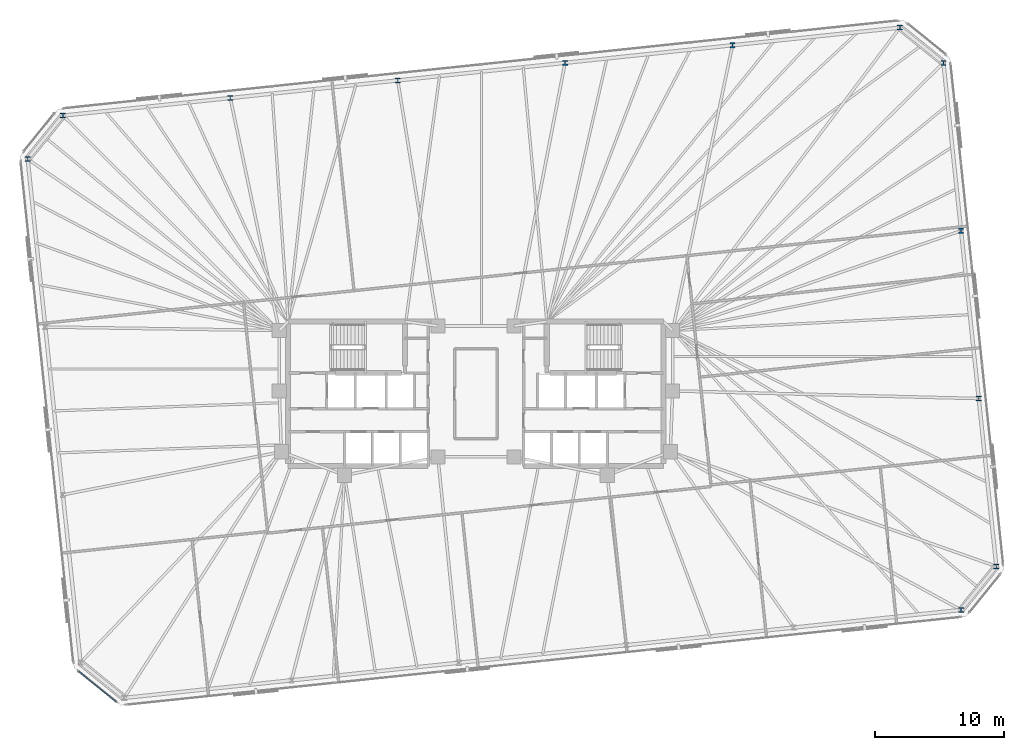
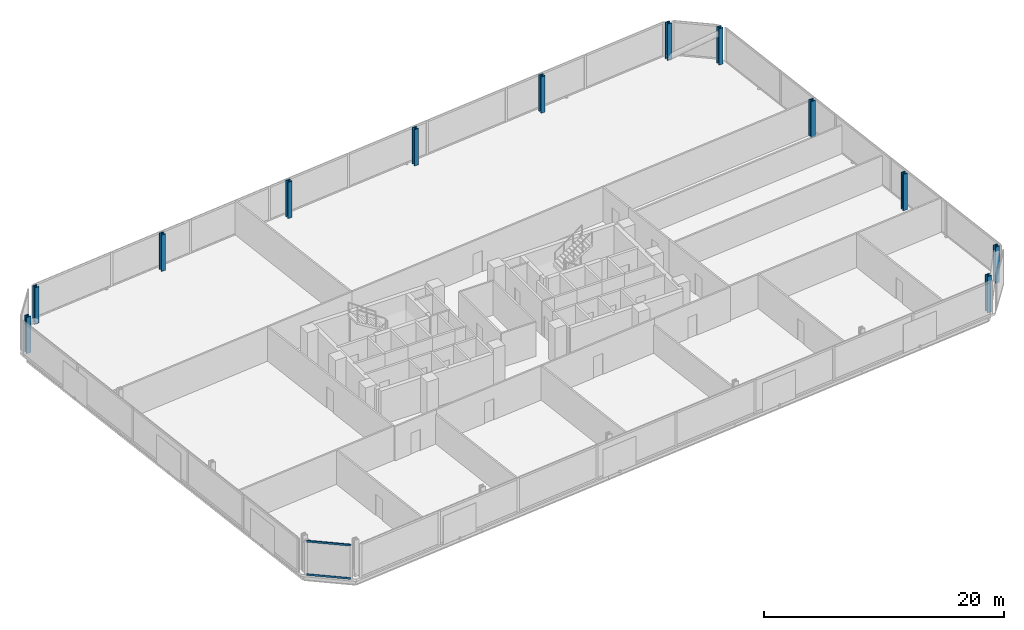
# One storey, part 5 of 18: 12 columns, 2 members, 1 element without a shape of its own.
"""IFC4 building model written with IfcOpenShell, lengths in metres."""

from ifc_helpers import new_model, si_unit, direction, frame, origin, origin_2d, place, context, subcontext, project, spatial, rectangle, i_section, extrude, material, material_profile, profile_set, type_object, element, aggregate, save


model = new_model("IFC4")

# Units and contexts
model_context = context("Model", 3, precision=1e-05, world=origin(), true_north=direction((0.0, 1.0)))
body_context = subcontext(model_context, "Body", "Model", "MODEL_VIEW")
ifc_project = project(units=[si_unit("LENGTHUNIT", "METRE"), si_unit("AREAUNIT", "SQUARE_METRE"), si_unit("VOLUMEUNIT", "CUBIC_METRE"), si_unit("PLANEANGLEUNIT", "RADIAN"), si_unit("MASSUNIT", "GRAM", prefix="KILO")], contexts=[model_context])

# Site, building, storey
site_placement = place(None, origin())
site = spatial("IfcSite", under=ifc_project, at=site_placement, CompositionType="ELEMENT")
building_placement = place(site_placement, origin())
building = spatial("IfcBuilding", under=site, at=building_placement, Name="Menara Jurai Vektor", CompositionType="ELEMENT")
storey_placement = place(building_placement, frame((0.0, 0.0, 124.39990234375)))
storey = spatial("IfcBuildingStorey", under=building, at=storey_placement, Name="L31", CompositionType="ELEMENT", Elevation=124.39990234375)

# Columns
ifc_material_1 = material(Name="Steel S460", Category="steel")
ifc_material_profile_1 = material_profile(ifc_material_1, i_section(OverallWidth=0.4130859375, OverallDepth=0.39794921875, WebThickness=0.055908203125, FlangeThickness=0.089111328125, FilletRadius=0.014892578125, at=origin_2d()), Name="HD 400x744")
ifc_profile_set_1 = profile_set([ifc_material_profile_1], Name="Steel S460")
column_type = type_object("IfcColumnType", Name="STR-EXO-BLK2", PredefinedType="COLUMN", material=ifc_profile_set_1)
for number, where, z_axis, x_axis, name in (
    (1, (37.621826171875, -16.76513671875, 0.0), (0.0, 0.0, 1.0), (1.0, 0.0, 0.0), "Exoskeleton Column BLK2-S6 L31"),
    (2, (40.356201171875, -13.388671875, 0.0), (0.0, 0.0, 1.0), (1.0, 0.0, 0.0), "Exoskeleton Column BLK2-E1 L31"),
    (3, (38.98828125, -0.375, 0.0), (0.0, 0.0, 1.0), (1.0, 0.0, 0.0), "Exoskeleton Column BLK2-E2 L31"),
    (4, (37.62060546875, 12.638427734375, 0.0), (0.0, 0.0, 1.0), (1.0, 0.0, 0.0), "Exoskeleton Column BLK2-E3 L31"),
    (5, (36.252685546875, 25.65185546875, 0.0), (0.0, 0.0, 1.0), (1.0, 0.0, 0.0), "Exoskeleton Column BLK2-E4 L31"),
    (6, (32.876220703125, 28.38623046875, 0.0), (0.0, 0.0, 1.0), (1.0, 0.0, 0.0), "Exoskeleton Column BLK2-N1 L31"),
    (7, (19.896728515625, 27.02197265625, 0.0), (0.0, 0.0, 1.0), (1.0, 0.0, 0.0), "Exoskeleton Column BLK2-N2 L31"),
    (8, (6.9169921875, 25.65771484375, 0.0), (0.0, 0.0, 1.0), (1.0, 0.0, 0.0), "Exoskeleton Column BLK2-N3 L31"),
    (9, (-6.0625, 24.29345703125, 0.0), (0.0, 0.0, 1.0), (1.0, 0.0, 0.0), "Exoskeleton Column BLK2-N4 L31"),
    (10, (-19.042236328125, 22.929443359375, 0.0), (0.0, 0.0, 1.0), (1.0, 0.0, 0.0), "Exoskeleton Column BLK2-N5 L31"),
    (11, (-32.02197265625, 21.565185546875, 0.0), (0.0, 0.0, 1.0), (1.0, 0.0, 0.0), "Exoskeleton Column BLK2-N6 L31"),
    (12, (-34.756103515625, 18.188720703125, 0.0), (0.0, 0.0, 1.0), (1.0, 0.0, 0.0), "Exoskeleton Column BLK2-W1 L31"),
):
    element("IfcColumn", number, at=place(storey_placement, frame(where, z_axis=z_axis, x_axis=x_axis)), inside=storey, type_object=column_type, Name=name, PredefinedType="COLUMN", context=body_context, shape_type="SweptSolid", body=[
        extrude(i_section(OverallWidth=0.4130859375, OverallDepth=0.39794921875, WebThickness=0.055908203125, FlangeThickness=0.089111328125, FilletRadius=0.014892578125, at=origin_2d()), origin(), (0.0, 0.0, 1.0), 3.7001953125),
    ])

# Curtain wall, members
ifc_material_2 = material(Name="Anodised Pale Aluminium & Low-E Double Glazing", Category="aluminium")
curtain_wall_type = type_object("IfcCurtainWallType", Name="CW-BLK2", PredefinedType="NOTDEFINED", material=ifc_material_2)
curtain_wall_placement = place(storey_placement, origin())
curtain_wall = element("IfcCurtainWall", 13, at=curtain_wall_placement, inside=storey, type_object=curtain_wall_type, Name="Unitised Curtain Wall L31 F08", PredefinedType="NOTDEFINED")
ifc_material_3 = material(Name="Anodised Pale Aluminium Transom", Category="aluminium")
ifc_material_profile_2 = material_profile(ifc_material_3, rectangle(XDim=0.090087890625, YDim=0.18505859375, at=origin_2d()), Name="ALU TRN 90x185")
ifc_profile_set_2 = profile_set([ifc_material_profile_2], Name="Anodised Pale Aluminium Transom")
member_type = type_object("IfcMemberType", Name="CW-BLK2-TRN", PredefinedType="USERDEFINED", material=ifc_profile_set_2)
member_1_placement = place(storey_placement, frame((-30.80078125, -21.525634765625, 0.045166015625), z_axis=(0.777128916205, -0.6293414396, 0.0), x_axis=(0.6293414396, 0.777128916205, 0.0)))
member_1 = element("IfcMember", 14, at=member_1_placement, type_object=member_type, Name="CW-02 transom 1.1", ObjectType="TRANSOM", PredefinedType="USERDEFINED", context=body_context, shape_type="SweptSolid", body=[
    extrude(rectangle(XDim=0.090087890625, YDim=0.18505859375, at=origin_2d()), origin(), (0.0, 0.0, 1.0), 3.726806640625),
])
member_2_placement = place(storey_placement, frame((-30.80078125, -21.525634765625, 3.43017578125), z_axis=(0.777128916205, -0.6293414396, 0.0), x_axis=(0.6293414396, 0.777128916205, 0.0)))
member_2 = element("IfcMember", 15, at=member_2_placement, type_object=member_type, Name="CW-02 transom 1.2", ObjectType="TRANSOM", PredefinedType="USERDEFINED", context=body_context, shape_type="SweptSolid", body=[
    extrude(rectangle(XDim=0.090087890625, YDim=0.18505859375, at=origin_2d()), origin(), (0.0, 0.0, 1.0), 3.726806640625),
])
aggregate(curtain_wall, [member_1, member_2])

save(model, "model.ifc")
